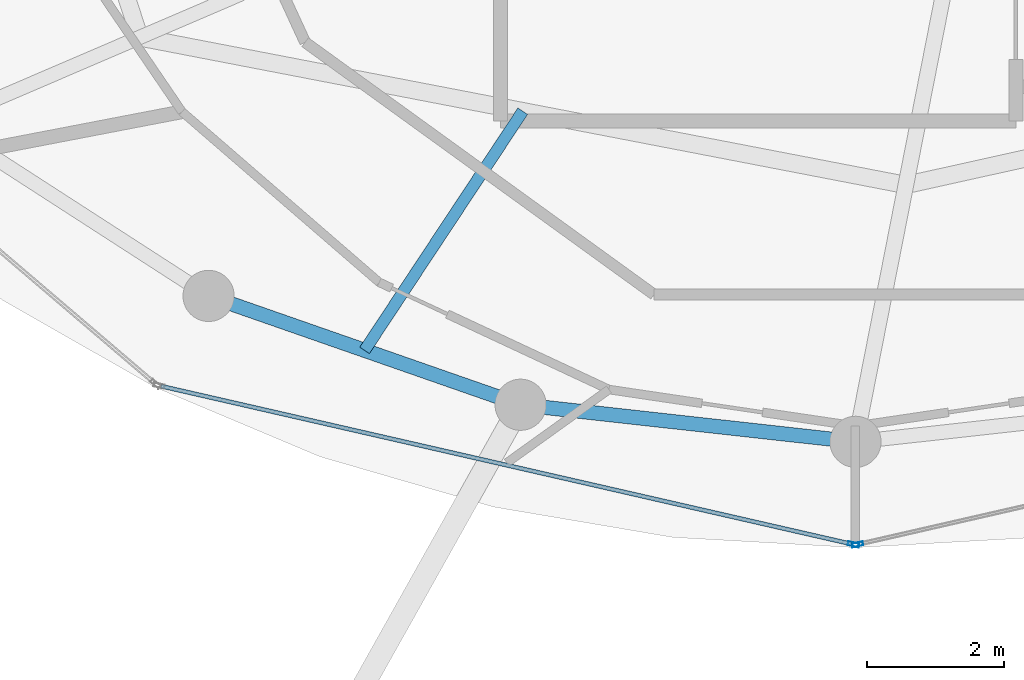
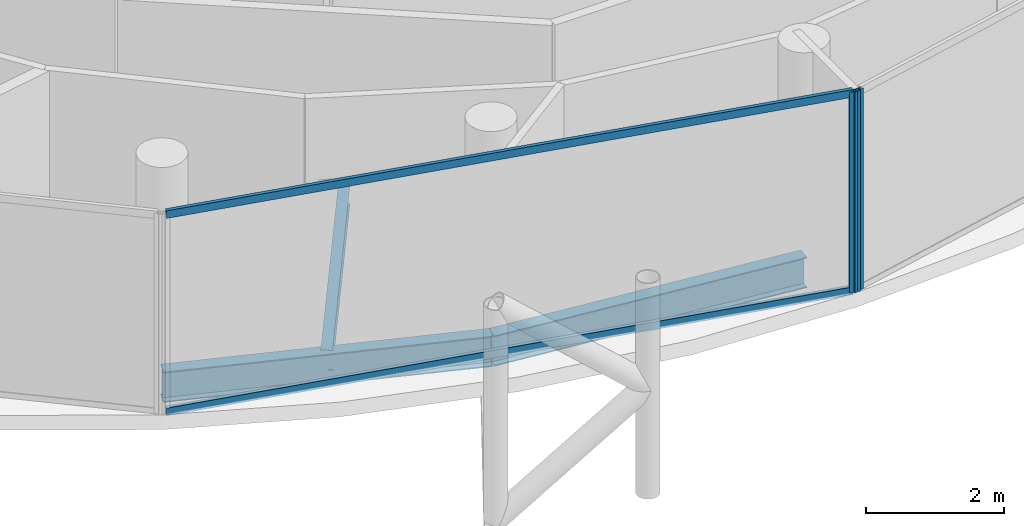
# One storey, part 4 of 24: 4 members, 3 beams, 2 elements without a shape of their own.
"""IFC4 building model written with IfcOpenShell, lengths in metres."""

from ifc_helpers import new_model, si_unit, direction, frame, origin, origin_2d, place, context, subcontext, project, spatial, hollow_rectangle, i_section, extrude, material, layer, layer_set, material_profile, profile_set, type_object, element, aggregate, save


model = new_model("IFC4")

# Units and contexts
model_context = context("Model", 3, precision=1e-05, world=origin(), true_north=direction((0.0, 1.0)))
body_context = subcontext(model_context, "Body", "Model", "MODEL_VIEW")
ifc_project = project(units=[si_unit("LENGTHUNIT", "METRE"), si_unit("AREAUNIT", "SQUARE_METRE"), si_unit("VOLUMEUNIT", "CUBIC_METRE"), si_unit("PLANEANGLEUNIT", "RADIAN"), si_unit("MASSUNIT", "GRAM", prefix="KILO")], contexts=[model_context])

# Site, building, storey
site_placement = place(None, origin())
site = spatial("IfcSite", under=ifc_project, at=site_placement, CompositionType="ELEMENT")
building_placement = place(site_placement, origin())
building = spatial("IfcBuilding", under=site, at=building_placement, Name="Nuhasar Tower", CompositionType="ELEMENT")
storey_placement = place(building_placement, frame((0.0, 0.0, 286.0)))
storey = spatial("IfcBuildingStorey", under=building, at=storey_placement, Name="L71", CompositionType="ELEMENT", Elevation=286.0)

# Beams
ifc_material_1 = material(Name="Steel S355", Category="steel")
ifc_material_profile_1 = material_profile(ifc_material_1, i_section(OverallWidth=0.1708984375, OverallDepth=0.35205078125, WebThickness=0.0068359375, FlangeThickness=0.009765625, at=origin_2d()), Name="W14X30")
ifc_profile_set_1 = profile_set([ifc_material_profile_1], Name="Steel S355")
beam_type_1 = type_object("IfcBeamType", Name="BM-JST-W14X30", PredefinedType="JOIST", material=ifc_profile_set_1)
beam_1_placement = place(storey_placement, frame((34.126953125, 15.693115234375, -0.43603515625), z_axis=(-0.551638003526, -0.834083636733, 0.0), x_axis=(0.834083636733, -0.551638003526, 0.0)))
element("IfcBeam", 1, at=beam_1_placement, inside=storey, type_object=beam_type_1, Name="L71 Secondary Floor Joist 01", PredefinedType="JOIST", context=body_context, shape_type="SweptSolid", body=[
    extrude(i_section(OverallWidth=0.1708984375, OverallDepth=0.35205078125, WebThickness=0.0068359375, FlangeThickness=0.009765625, at=origin_2d()), origin(), (0.0, 0.0, 1.0), 4.199951171875),
])
ifc_material_profile_2 = material_profile(ifc_material_1, i_section(OverallWidth=0.2099609375, OverallDepth=0.537109375, WebThickness=0.010986328125, FlangeThickness=0.017333984375, at=origin_2d()), Name="W21X68")
ifc_profile_set_2 = profile_set([ifc_material_profile_2], Name="Steel S355")
beam_type_2 = type_object("IfcBeamType", Name="BM-RING-W21X68", PredefinedType="SPANDREL", material=ifc_profile_set_2)
beam_2_placement = place(storey_placement, frame((29.52490234375, 12.987060546875, -0.529052734375), z_axis=(0.944214043504, -0.329332415729, 0.0), x_axis=(0.329332415729, 0.944214043504, 0.0)))
element("IfcBeam", 2, at=beam_2_placement, inside=storey, type_object=beam_type_2, Name="L71 Perimeter Ring Spandrel 17", PredefinedType="SPANDREL", context=body_context, shape_type="SweptSolid", body=[
    extrude(i_section(OverallWidth=0.2099609375, OverallDepth=0.537109375, WebThickness=0.010986328125, FlangeThickness=0.017333984375, at=origin_2d()), origin(), (0.0, 0.0, 1.0), 4.840087890625),
])
beam_3_placement = place(storey_placement, frame((34.094970703125, 11.39306640625, -0.529052734375), z_axis=(0.99392889943, -0.110024283128, 0.0), x_axis=(0.110024283128, 0.99392889943, 0.0)))
element("IfcBeam", 3, at=beam_3_placement, inside=storey, type_object=beam_type_2, Name="L71 Perimeter Ring Spandrel 18", PredefinedType="SPANDREL", context=body_context, shape_type="SweptSolid", body=[
    extrude(i_section(OverallWidth=0.2099609375, OverallDepth=0.537109375, WebThickness=0.010986328125, FlangeThickness=0.017333984375, at=origin_2d()), origin(), (0.0, 0.0, 1.0), 4.93505859375),
])

# Curtain wall, member
ifc_material_2 = material(Name="Aluminium 6063-T6", Category="aluminium")
ifc_layer = layer(ifc_material_2, 0.18994140625)
ifc_layer_set = layer_set([ifc_layer], Name="Aluminium 6063-T6")
curtain_wall_type = type_object("IfcCurtainWallType", Name="CW-Z4-PEN", PredefinedType="NOTDEFINED", material=ifc_layer_set)
curtain_wall_1_placement = place(storey_placement, origin())
curtain_wall_1 = element("IfcCurtainWall", 4, at=curtain_wall_1_placement, inside=storey, type_object=curtain_wall_type, Name="L71 Unitised Curtain Wall 09", PredefinedType="NOTDEFINED")
ifc_material_profile_3 = material_profile(ifc_material_2, hollow_rectangle(XDim=0.06005859375, YDim=0.1650390625, WallThickness=0.0048828125, at=origin_2d()), Name="CWM-5")
ifc_profile_set_3 = profile_set([ifc_material_profile_3], Name="Aluminium 6063-T6")
member_type_1 = type_object("IfcMemberType", Name="CW-MUL-S5", PredefinedType="MULLION", material=ifc_profile_set_3)
member_1_placement = place(storey_placement, frame((38.970703125, 9.3466796875, 0.0), z_axis=(0.0, 0.0, 1.0), x_axis=(0.222889487645, 0.97484371891, 0.0)))
member_1 = element("IfcMember", 5, at=member_1_placement, type_object=member_type_1, Name="CW-Z4 mullion 2", PredefinedType="MULLION", context=body_context, shape_type="SweptSolid", body=[
    extrude(hollow_rectangle(XDim=0.06005859375, YDim=0.1650390625, WallThickness=0.0048828125, at=origin_2d()), origin(), (0.0, 0.0, 1.0), 3.5400390625),
])

curtain_wall_2_placement = place(storey_placement, origin())
curtain_wall_2 = element("IfcCurtainWall", 6, at=curtain_wall_2_placement, inside=storey, type_object=curtain_wall_type, Name="L71 Unitised Curtain Wall 10", PredefinedType="NOTDEFINED")
member_2_placement = place(storey_placement, frame((39.029296875, 9.3466796875, 0.0), z_axis=(0.0, 0.0, 1.0), x_axis=(-0.222889487645, 0.97484371891, 0.0)))
member_2 = element("IfcMember", 7, at=member_2_placement, type_object=member_type_1, Name="CW-Z4 mullion 1", PredefinedType="MULLION", context=body_context, shape_type="SweptSolid", body=[
    extrude(hollow_rectangle(XDim=0.06005859375, YDim=0.1650390625, WallThickness=0.0048828125, at=origin_2d()), origin(), (0.0, 0.0, 1.0), 3.5400390625),
])
aggregate(curtain_wall_2, [member_2])

# Member
ifc_material_profile_4 = material_profile(ifc_material_2, hollow_rectangle(XDim=0.06005859375, YDim=0.135009765625, WallThickness=0.00439453125, at=origin_2d()), Name="CWT-5")
ifc_profile_set_4 = profile_set([ifc_material_profile_4], Name="Aluminium 6063-T6")
member_type_2 = type_object("IfcMemberType", Name="CW-TRN-S5", PredefinedType="USERDEFINED", material=ifc_profile_set_4)
member_3_placement = place(storey_placement, frame((28.828369140625, 11.66552734375, 0.030029296875), z_axis=(0.974843752401, -0.222889341163, 0.0), x_axis=(0.222889341163, 0.974843752401, 0.0)))
member_3 = element("IfcMember", 8, at=member_3_placement, type_object=member_type_2, Name="CW-Z4 transom 1.1", ObjectType="TRANSOM", PredefinedType="USERDEFINED", context=body_context, shape_type="SweptSolid", body=[
    extrude(hollow_rectangle(XDim=0.06005859375, YDim=0.135009765625, WallThickness=0.00439453125, at=origin_2d()), origin(), (0.0, 0.0, 1.0), 10.3740234375),
])

member_4_placement = place(storey_placement, frame((28.828369140625, 11.66552734375, 3.510009765625), z_axis=(0.974843752401, -0.222889341163, 0.0), x_axis=(0.222889341163, 0.974843752401, 0.0)))
member_4 = element("IfcMember", 9, at=member_4_placement, type_object=member_type_2, Name="CW-Z4 transom 1.2", ObjectType="TRANSOM", PredefinedType="USERDEFINED", context=body_context, shape_type="SweptSolid", body=[
    extrude(hollow_rectangle(XDim=0.06005859375, YDim=0.135009765625, WallThickness=0.00439453125, at=origin_2d()), origin(), (0.0, 0.0, 1.0), 10.3740234375),
])

aggregate(curtain_wall_1, [member_1, member_3, member_4])

save(model, "model.ifc")
